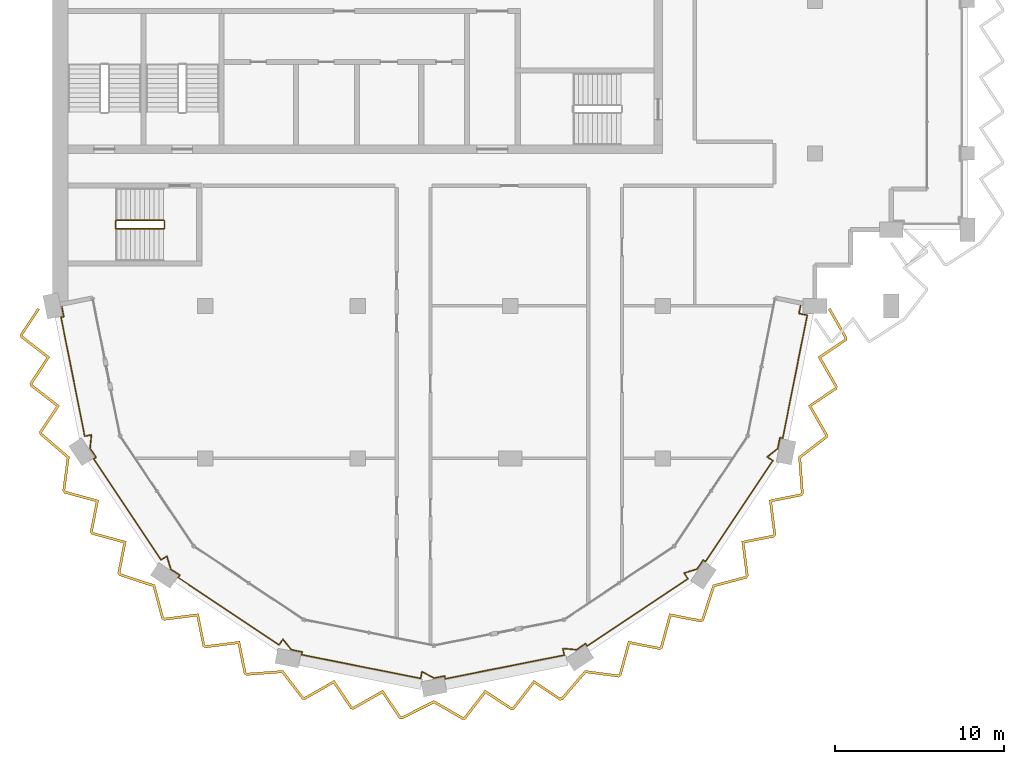
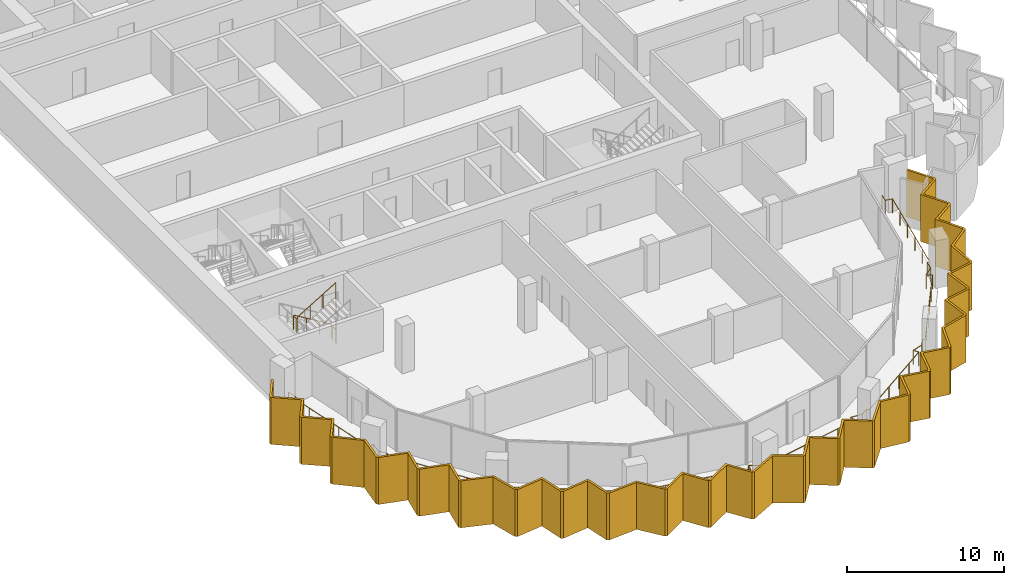
# One storey, part 11 of 13: 2 railings, 1 shading device.
"""IFC4 building model written with IfcOpenShell, lengths in metres."""

from ifc_helpers import new_model, si_unit, direction, frame, origin, origin_2d, place, context, subcontext, project, spatial, polyline, circle, outline, extrude, material, layer, layer_set, type_object, element, save


model = new_model("IFC4")

# Units and contexts
model_context = context("Model", 3, precision=1e-05, world=origin(), true_north=direction((0.0, 1.0)))
body_context = subcontext(model_context, "Body", "Model", "MODEL_VIEW")
ifc_project = project(units=[si_unit("LENGTHUNIT", "METRE"), si_unit("AREAUNIT", "SQUARE_METRE"), si_unit("VOLUMEUNIT", "CUBIC_METRE"), si_unit("PLANEANGLEUNIT", "RADIAN"), si_unit("MASSUNIT", "GRAM", prefix="KILO")], contexts=[model_context])

# Site, building, storey
site_placement = place(None, origin())
site = spatial("IfcSite", under=ifc_project, at=site_placement, CompositionType="ELEMENT")
building_placement = place(site_placement, origin())
building = spatial("IfcBuilding", under=site, at=building_placement, Name="Hunhe Ridgeline Campus", CompositionType="ELEMENT")
storey_placement = place(building_placement, frame((0.0, 0.0, 280.800048828125)))
storey = spatial("IfcBuildingStorey", under=building, at=storey_placement, Name="L72", CompositionType="ELEMENT", Elevation=280.800048828125)

# Railing
ifc_material_1 = material(Name="Steel Q355", Category="steel")
railing_type_1 = type_object("IfcRailingType", Name="Loggia guard 1100 Steel Q355", PredefinedType="GUARDRAIL", material=ifc_material_1)
railing_1_placement = place(storey_placement, frame((0.510009765625, 54.1015625, 0.0)))
element("IfcRailing", 1, at=railing_1_placement, inside=storey, type_object=railing_type_1, Name="Loggia guard 1", PredefinedType="GUARDRAIL", context=body_context, shape_type="SweptSolid", body=[
    extrude(circle(Radius=0.02392578125, at=origin_2d()), frame((0.0, 0.0, 1.076171875), z_axis=(0.194989189992, -0.980805391393, 0.0), x_axis=(0.980805391393, 0.194989189992, 0.0)), (0.0, 0.0, 1.0), 0.75),
    extrude(circle(Radius=0.02392578125, at=origin_2d()), frame((0.146240234375, -0.735595703125, 1.076171875), z_axis=(-0.980746010965, -0.195287639079, 0.0), x_axis=(0.195287639079, -0.980746010965, 0.0)), (0.0, 0.0, 1.0), 0.169921875),
    extrude(circle(Radius=0.02392578125, at=origin_2d()), frame((-0.0205078125, -0.768798828125, 1.076171875), z_axis=(0.195099694312, -0.980783416091, 0.0), x_axis=(0.980783416091, 0.195099694312, 0.0)), (0.0, 0.0, 1.0), 7.160400390625),
    extrude(circle(Radius=0.02392578125, at=origin_2d()), frame((1.37646484375, -7.79150390625, 1.076171875), z_axis=(0.980720044729, 0.195417997808, 0.0), x_axis=(-0.195417997808, 0.980720044729, 0.0)), (0.0, 0.0, 1.0), 0.403564453125),
    extrude(circle(Radius=0.02392578125, at=origin_2d()), frame((1.772216796875, -7.712646484375, 1.076171875), z_axis=(-0.09944331471, -0.995043228789, 0.0), x_axis=(0.995043228789, -0.09944331471, 0.0)), (0.0, 0.0, 1.0), 0.80029296875),
    extrude(circle(Radius=0.02392578125, at=origin_2d()), frame((1.692626953125, -8.509033203125, 1.076171875), z_axis=(0.555484244868, -0.831527061318, 0.0), x_axis=(0.831527061318, 0.555484244868, 0.0)), (0.0, 0.0, 1.0), 0.646484375),
    extrude(circle(Radius=0.02392578125, at=origin_2d()), frame((2.0517578125, -9.046630859375, 1.076171875), z_axis=(-0.831386976724, -0.555693885997, 0.0), x_axis=(0.555693885997, -0.831386976724, 0.0)), (0.0, 0.0, 1.0), 0.169921875),
    extrude(circle(Radius=0.02392578125, at=origin_2d()), frame((1.910400390625, -9.14111328125, 1.076171875), z_axis=(0.555581168767, -0.831462305166, 0.0), x_axis=(0.831462305166, 0.555581168767, 0.0)), (0.0, 0.0, 1.0), 7.16015625),
    extrude(circle(Radius=0.02392578125, at=origin_2d()), frame((5.888427734375, -15.094482421875, 1.076171875), z_axis=(0.831491262241, 0.555537830231, 0.0), x_axis=(-0.555537830231, 0.831491262241, 0.0)), (0.0, 0.0, 1.0), 0.4033203125),
    extrude(circle(Radius=0.02392578125, at=origin_2d()), frame((6.223876953125, -14.870361328125, 1.076171875), z_axis=(0.288914906809, -0.957354780958, 0.0), x_axis=(0.957354780958, 0.288914906809, 0.0)), (0.0, 0.0, 1.0), 0.80029296875),
    extrude(circle(Radius=0.02392578125, at=origin_2d()), frame((6.455078125, -15.636474609375, 1.076171875), z_axis=(0.831352632543, -0.555745265714, 0.0), x_axis=(0.555745265714, 0.831352632543, 0.0)), (0.0, 0.0, 1.0), 0.646728515625),
    extrude(circle(Radius=0.02392578125, at=origin_2d()), frame((6.99267578125, -15.995849609375, 1.076171875), z_axis=(-0.555693885997, -0.831386976724, 0.0), x_axis=(0.831386976724, -0.555693885997, 0.0)), (0.0, 0.0, 1.0), 0.169921875),
    extrude(circle(Radius=0.02392578125, at=origin_2d()), frame((6.898193359375, -16.13720703125, 1.076171875), z_axis=(0.831478056194, -0.555557595635, 0.0), x_axis=(0.555557595635, 0.831478056194, 0.0)), (0.0, 0.0, 1.0), 7.159912109375),
    extrude(circle(Radius=0.02392578125, at=origin_2d()), frame((12.8515625, -20.114990234375, 1.076171875), z_axis=(0.555956014138, 0.831211712107, 0.0), x_axis=(-0.831211712107, 0.555956014138, 0.0)), (0.0, 0.0, 1.0), 0.403564453125),
    extrude(circle(Radius=0.02392578125, at=origin_2d()), frame((13.075927734375, -19.779541015625, 1.076171875), z_axis=(0.633104861372, -0.774066040146, 0.0), x_axis=(0.774066040146, 0.633104861372, 0.0)), (0.0, 0.0, 1.0), 0.800048828125),
    extrude(circle(Radius=0.02392578125, at=origin_2d()), frame((13.58251953125, -20.39892578125, 1.076171875), z_axis=(0.980754587978, -0.195244559871, 0.0), x_axis=(0.195244559871, 0.980754587978, 0.0)), (0.0, 0.0, 1.0), 0.646484375),
    extrude(circle(Radius=0.02392578125, at=origin_2d()), frame((14.216552734375, -20.525146484375, 1.076171875), z_axis=(-0.193905883508, -0.981020136562, 0.0), x_axis=(0.981020136562, -0.193905883508, 0.0)), (0.0, 0.0, 1.0), 0.169921875),
    extrude(circle(Radius=0.02392578125, at=origin_2d()), frame((14.18359375, -20.69189453125, 1.076171875), z_axis=(0.980782118184, -0.195106218893, 0.0), x_axis=(0.195106218893, 0.980782118184, 0.0)), (0.0, 0.0, 1.0), 7.16015625),
    extrude(circle(Radius=0.02392578125, at=origin_2d()), frame((21.2060546875, -22.0888671875, 1.076171875), z_axis=(0.194720424654, 0.980858785057, 0.0), x_axis=(-0.980858785057, 0.194720424654, 0.0)), (0.0, 0.0, 1.0), 0.40380859375),
    extrude(circle(Radius=0.02392578125, at=origin_2d()), frame((21.28466796875, -21.69287109375, 1.076171875), z_axis=(0.881185062436, -0.472771494211, 0.0), x_axis=(0.472771494211, 0.881185062436, 0.0)), (0.0, 0.0, 1.0), 0.800537109375),
    extrude(circle(Radius=0.02392578125, at=origin_2d()), frame((21.989990234375, -22.0712890625, 1.076171875), z_axis=(0.980826840908, 0.194881266811, 0.0), x_axis=(-0.194881266811, 0.980826840908, 0.0)), (0.0, 0.0, 1.0), 0.646484375),
    extrude(circle(Radius=0.02392578125, at=origin_2d()), frame((22.6240234375, -21.9453125, 1.076171875), z_axis=(0.195287639079, -0.980746010965, 0.0), x_axis=(0.980746010965, 0.195287639079, 0.0)), (0.0, 0.0, 1.0), 0.169921875),
    extrude(circle(Radius=0.02392578125, at=origin_2d()), frame((22.6572265625, -22.112060546875, 1.076171875), z_axis=(0.980783416091, 0.195099694312, 0.0), x_axis=(-0.195099694312, 0.980783416091, 0.0)), (0.0, 0.0, 1.0), 7.160400390625),
    extrude(circle(Radius=0.02392578125, at=origin_2d()), frame((29.679931640625, -20.715087890625, 1.076171875), z_axis=(-0.195417997808, 0.980720044729, 0.0), x_axis=(-0.980720044729, -0.195417997808, 0.0)), (0.0, 0.0, 1.0), 0.403564453125),
    extrude(circle(Radius=0.02392578125, at=origin_2d()), frame((29.60107421875, -20.3193359375, 1.076171875), z_axis=(0.995043228789, -0.09944331471, 0.0), x_axis=(0.09944331471, 0.995043228789, 0.0)), (0.0, 0.0, 1.0), 0.80029296875),
    extrude(circle(Radius=0.02392578125, at=origin_2d()), frame((30.3974609375, -20.39892578125, 1.076171875), z_axis=(0.831527061318, 0.555484244868, 0.0), x_axis=(-0.555484244868, 0.831527061318, 0.0)), (0.0, 0.0, 1.0), 0.646484375),
    extrude(circle(Radius=0.02392578125, at=origin_2d()), frame((30.93505859375, -20.039794921875, 1.076171875), z_axis=(0.555693885997, -0.831386976724, 0.0), x_axis=(0.831386976724, 0.555693885997, 0.0)), (0.0, 0.0, 1.0), 0.169921875),
    extrude(circle(Radius=0.02392578125, at=origin_2d()), frame((31.029541015625, -20.18115234375, 1.076171875), z_axis=(0.831462305166, 0.555581168767, 0.0), x_axis=(-0.555581168767, 0.831462305166, 0.0)), (0.0, 0.0, 1.0), 7.16015625),
    extrude(circle(Radius=0.02392578125, at=origin_2d()), frame((36.98291015625, -16.203125, 1.076171875), z_axis=(-0.555537830231, 0.831491262241, 0.0), x_axis=(-0.831491262241, -0.555537830231, 0.0)), (0.0, 0.0, 1.0), 0.4033203125),
    extrude(circle(Radius=0.02392578125, at=origin_2d()), frame((36.7587890625, -15.86767578125, 1.076171875), z_axis=(0.957354780958, 0.288914906809, 0.0), x_axis=(-0.288914906809, 0.957354780958, 0.0)), (0.0, 0.0, 1.0), 0.80029296875),
    extrude(circle(Radius=0.02392578125, at=origin_2d()), frame((37.52490234375, -15.636474609375, 1.076171875), z_axis=(0.555745265714, 0.831352632543, 0.0), x_axis=(-0.831352632543, 0.555745265714, 0.0)), (0.0, 0.0, 1.0), 0.646728515625),
    extrude(circle(Radius=0.02392578125, at=origin_2d()), frame((37.88427734375, -15.098876953125, 1.076171875), z_axis=(0.831386976724, -0.555693885997, 0.0), x_axis=(0.555693885997, 0.831386976724, 0.0)), (0.0, 0.0, 1.0), 0.169921875),
    extrude(circle(Radius=0.02392578125, at=origin_2d()), frame((38.025634765625, -15.193359375, 1.076171875), z_axis=(0.555557595635, 0.831478056194, 0.0), x_axis=(-0.831478056194, 0.555557595635, 0.0)), (0.0, 0.0, 1.0), 7.159912109375),
    extrude(circle(Radius=0.02392578125, at=origin_2d()), frame((42.00341796875, -9.239990234375, 1.076171875), z_axis=(-0.831211712107, 0.555956014138, 0.0), x_axis=(-0.555956014138, -0.831211712107, 0.0)), (0.0, 0.0, 1.0), 0.403564453125),
    extrude(circle(Radius=0.02392578125, at=origin_2d()), frame((41.66796875, -9.015625, 1.076171875), z_axis=(0.774066040146, 0.633104861372, 0.0), x_axis=(-0.633104861372, 0.774066040146, 0.0)), (0.0, 0.0, 1.0), 0.800048828125),
    extrude(circle(Radius=0.02392578125, at=origin_2d()), frame((42.287353515625, -8.509033203125, 1.076171875), z_axis=(0.195244559871, 0.980754587978, 0.0), x_axis=(-0.980754587978, 0.195244559871, 0.0)), (0.0, 0.0, 1.0), 0.646484375),
    extrude(circle(Radius=0.02392578125, at=origin_2d()), frame((42.41357421875, -7.875, 1.076171875), z_axis=(0.981020136562, -0.193905883508, 0.0), x_axis=(0.193905883508, 0.981020136562, 0.0)), (0.0, 0.0, 1.0), 0.169921875),
    extrude(circle(Radius=0.02392578125, at=origin_2d()), frame((42.580322265625, -7.907958984375, 1.076171875), z_axis=(0.195088338544, 0.980785674938, 0.0), x_axis=(-0.980785674938, 0.195088338544, 0.0)), (0.0, 0.0, 1.0), 7.40087890625),
    extrude(circle(Radius=0.02392578125, at=origin_2d()), frame((44.024169921875, -0.649169921875, 1.076171875), z_axis=(-0.980789056368, 0.195071337999, 0.0), x_axis=(-0.195071337999, -0.980789056368, 0.0)), (0.0, 0.0, 1.0), 0.494384765625),
    extrude(circle(Radius=0.02392578125, at=origin_2d()), frame((43.539306640625, -0.552734375, 1.076171875), z_axis=(0.195144205131, 0.980774560847, 0.0), x_axis=(-0.980774560847, 0.195144205131, 0.0)), (0.0, 0.0, 1.0), 0.6279296875),
    extrude(circle(Radius=0.02099609375, at=origin_2d()), origin(), (0.0, 0.0, 1.0), 1.052001953125),
    extrude(circle(Radius=0.02099609375, at=origin_2d()), frame((0.146240234375, -0.735595703125, 0.0)), (0.0, 0.0, 1.0), 1.052001953125),
    extrude(circle(Radius=0.02099609375, at=origin_2d()), frame((-0.0205078125, -0.768798828125, 0.0)), (0.0, 0.0, 1.0), 1.052001953125),
    extrude(circle(Radius=0.02099609375, at=origin_2d()), frame((0.2587890625, -2.17333984375, 0.0)), (0.0, 0.0, 1.0), 1.052001953125),
    extrude(circle(Radius=0.02099609375, at=origin_2d()), frame((0.538330078125, -3.577880859375, 0.0)), (0.0, 0.0, 1.0), 1.052001953125),
    extrude(circle(Radius=0.02099609375, at=origin_2d()), frame((0.817626953125, -4.982421875, 0.0)), (0.0, 0.0, 1.0), 1.052001953125),
    extrude(circle(Radius=0.02099609375, at=origin_2d()), frame((1.09716796875, -6.386962890625, 0.0)), (0.0, 0.0, 1.0), 1.052001953125),
    extrude(circle(Radius=0.02099609375, at=origin_2d()), frame((1.37646484375, -7.79150390625, 0.0)), (0.0, 0.0, 1.0), 1.052001953125),
    extrude(circle(Radius=0.02099609375, at=origin_2d()), frame((1.772216796875, -7.712646484375, 0.0)), (0.0, 0.0, 1.0), 1.052001953125),
    extrude(circle(Radius=0.02099609375, at=origin_2d()), frame((1.692626953125, -8.509033203125, 0.0)), (0.0, 0.0, 1.0), 1.052001953125),
    extrude(circle(Radius=0.02099609375, at=origin_2d()), frame((2.0517578125, -9.046630859375, 0.0)), (0.0, 0.0, 1.0), 1.052001953125),
    extrude(circle(Radius=0.02099609375, at=origin_2d()), frame((1.910400390625, -9.14111328125, 0.0)), (0.0, 0.0, 1.0), 1.052001953125),
    extrude(circle(Radius=0.02099609375, at=origin_2d()), frame((2.7060546875, -10.331787109375, 0.0)), (0.0, 0.0, 1.0), 1.052001953125),
    extrude(circle(Radius=0.02099609375, at=origin_2d()), frame((3.501708984375, -11.5224609375, 0.0)), (0.0, 0.0, 1.0), 1.052001953125),
    extrude(circle(Radius=0.02099609375, at=origin_2d()), frame((4.297119140625, -12.713134765625, 0.0)), (0.0, 0.0, 1.0), 1.052001953125),
    extrude(circle(Radius=0.02099609375, at=origin_2d()), frame((5.0927734375, -13.90380859375, 0.0)), (0.0, 0.0, 1.0), 1.052001953125),
    extrude(circle(Radius=0.02099609375, at=origin_2d()), frame((5.888427734375, -15.094482421875, 0.0)), (0.0, 0.0, 1.0), 1.052001953125),
    extrude(circle(Radius=0.02099609375, at=origin_2d()), frame((6.223876953125, -14.870361328125, 0.0)), (0.0, 0.0, 1.0), 1.052001953125),
    extrude(circle(Radius=0.02099609375, at=origin_2d()), frame((6.455078125, -15.636474609375, 0.0)), (0.0, 0.0, 1.0), 1.052001953125),
    extrude(circle(Radius=0.02099609375, at=origin_2d()), frame((6.99267578125, -15.995849609375, 0.0)), (0.0, 0.0, 1.0), 1.052001953125),
    extrude(circle(Radius=0.02099609375, at=origin_2d()), frame((6.898193359375, -16.13720703125, 0.0)), (0.0, 0.0, 1.0), 1.052001953125),
    extrude(circle(Radius=0.02099609375, at=origin_2d()), frame((8.0888671875, -16.932861328125, 0.0)), (0.0, 0.0, 1.0), 1.052001953125),
    extrude(circle(Radius=0.02099609375, at=origin_2d()), frame((9.279541015625, -17.728271484375, 0.0)), (0.0, 0.0, 1.0), 1.052001953125),
    extrude(circle(Radius=0.02099609375, at=origin_2d()), frame((10.47021484375, -18.52392578125, 0.0)), (0.0, 0.0, 1.0), 1.052001953125),
    extrude(circle(Radius=0.02099609375, at=origin_2d()), frame((11.660888671875, -19.3193359375, 0.0)), (0.0, 0.0, 1.0), 1.052001953125),
    extrude(circle(Radius=0.02099609375, at=origin_2d()), frame((12.8515625, -20.114990234375, 0.0)), (0.0, 0.0, 1.0), 1.052001953125),
    extrude(circle(Radius=0.02099609375, at=origin_2d()), frame((13.075927734375, -19.779541015625, 0.0)), (0.0, 0.0, 1.0), 1.052001953125),
    extrude(circle(Radius=0.02099609375, at=origin_2d()), frame((13.58251953125, -20.39892578125, 0.0)), (0.0, 0.0, 1.0), 1.052001953125),
    extrude(circle(Radius=0.02099609375, at=origin_2d()), frame((14.216552734375, -20.525146484375, 0.0)), (0.0, 0.0, 1.0), 1.052001953125),
    extrude(circle(Radius=0.02099609375, at=origin_2d()), frame((14.18359375, -20.69189453125, 0.0)), (0.0, 0.0, 1.0), 1.052001953125),
    extrude(circle(Radius=0.02099609375, at=origin_2d()), frame((15.588134765625, -20.97119140625, 0.0)), (0.0, 0.0, 1.0), 1.052001953125),
    extrude(circle(Radius=0.02099609375, at=origin_2d()), frame((16.99267578125, -21.250732421875, 0.0)), (0.0, 0.0, 1.0), 1.052001953125),
    extrude(circle(Radius=0.02099609375, at=origin_2d()), frame((18.39697265625, -21.530029296875, 0.0)), (0.0, 0.0, 1.0), 1.052001953125),
    extrude(circle(Radius=0.02099609375, at=origin_2d()), frame((19.801513671875, -21.8095703125, 0.0)), (0.0, 0.0, 1.0), 1.052001953125),
    extrude(circle(Radius=0.02099609375, at=origin_2d()), frame((21.2060546875, -22.0888671875, 0.0)), (0.0, 0.0, 1.0), 1.052001953125),
    extrude(circle(Radius=0.02099609375, at=origin_2d()), frame((21.28466796875, -21.69287109375, 0.0)), (0.0, 0.0, 1.0), 1.052001953125),
    extrude(circle(Radius=0.02099609375, at=origin_2d()), frame((21.989990234375, -22.0712890625, 0.0)), (0.0, 0.0, 1.0), 1.052001953125),
    extrude(circle(Radius=0.02099609375, at=origin_2d()), frame((22.6240234375, -21.9453125, 0.0)), (0.0, 0.0, 1.0), 1.052001953125),
    extrude(circle(Radius=0.02099609375, at=origin_2d()), frame((22.6572265625, -22.112060546875, 0.0)), (0.0, 0.0, 1.0), 1.052001953125),
    extrude(circle(Radius=0.02099609375, at=origin_2d()), frame((24.061767578125, -21.832763671875, 0.0)), (0.0, 0.0, 1.0), 1.052001953125),
    extrude(circle(Radius=0.02099609375, at=origin_2d()), frame((25.46630859375, -21.55322265625, 0.0)), (0.0, 0.0, 1.0), 1.052001953125),
    extrude(circle(Radius=0.02099609375, at=origin_2d()), frame((26.870849609375, -21.27392578125, 0.0)), (0.0, 0.0, 1.0), 1.052001953125),
    extrude(circle(Radius=0.02099609375, at=origin_2d()), frame((28.275390625, -20.994384765625, 0.0)), (0.0, 0.0, 1.0), 1.052001953125),
    extrude(circle(Radius=0.02099609375, at=origin_2d()), frame((29.679931640625, -20.715087890625, 0.0)), (0.0, 0.0, 1.0), 1.052001953125),
    extrude(circle(Radius=0.02099609375, at=origin_2d()), frame((29.60107421875, -20.3193359375, 0.0)), (0.0, 0.0, 1.0), 1.052001953125),
    extrude(circle(Radius=0.02099609375, at=origin_2d()), frame((30.3974609375, -20.39892578125, 0.0)), (0.0, 0.0, 1.0), 1.052001953125),
    extrude(circle(Radius=0.02099609375, at=origin_2d()), frame((30.93505859375, -20.039794921875, 0.0)), (0.0, 0.0, 1.0), 1.052001953125),
    extrude(circle(Radius=0.02099609375, at=origin_2d()), frame((31.029541015625, -20.18115234375, 0.0)), (0.0, 0.0, 1.0), 1.052001953125),
    extrude(circle(Radius=0.02099609375, at=origin_2d()), frame((32.22021484375, -19.385498046875, 0.0)), (0.0, 0.0, 1.0), 1.052001953125),
    extrude(circle(Radius=0.02099609375, at=origin_2d()), frame((33.410888671875, -18.58984375, 0.0)), (0.0, 0.0, 1.0), 1.052001953125),
    extrude(circle(Radius=0.02099609375, at=origin_2d()), frame((34.6015625, -17.79443359375, 0.0)), (0.0, 0.0, 1.0), 1.052001953125),
    extrude(circle(Radius=0.02099609375, at=origin_2d()), frame((35.792236328125, -16.998779296875, 0.0)), (0.0, 0.0, 1.0), 1.052001953125),
    extrude(circle(Radius=0.02099609375, at=origin_2d()), frame((36.98291015625, -16.203125, 0.0)), (0.0, 0.0, 1.0), 1.052001953125),
    extrude(circle(Radius=0.02099609375, at=origin_2d()), frame((36.7587890625, -15.86767578125, 0.0)), (0.0, 0.0, 1.0), 1.052001953125),
    extrude(circle(Radius=0.02099609375, at=origin_2d()), frame((37.52490234375, -15.636474609375, 0.0)), (0.0, 0.0, 1.0), 1.052001953125),
    extrude(circle(Radius=0.02099609375, at=origin_2d()), frame((37.88427734375, -15.098876953125, 0.0)), (0.0, 0.0, 1.0), 1.052001953125),
    extrude(circle(Radius=0.02099609375, at=origin_2d()), frame((38.025634765625, -15.193359375, 0.0)), (0.0, 0.0, 1.0), 1.052001953125),
    extrude(circle(Radius=0.02099609375, at=origin_2d()), frame((38.8212890625, -14.002685546875, 0.0)), (0.0, 0.0, 1.0), 1.052001953125),
    extrude(circle(Radius=0.02099609375, at=origin_2d()), frame((39.61669921875, -12.81201171875, 0.0)), (0.0, 0.0, 1.0), 1.052001953125),
    extrude(circle(Radius=0.02099609375, at=origin_2d()), frame((40.412353515625, -11.621337890625, 0.0)), (0.0, 0.0, 1.0), 1.052001953125),
    extrude(circle(Radius=0.02099609375, at=origin_2d()), frame((41.207763671875, -10.4306640625, 0.0)), (0.0, 0.0, 1.0), 1.052001953125),
    extrude(circle(Radius=0.02099609375, at=origin_2d()), frame((42.00341796875, -9.239990234375, 0.0)), (0.0, 0.0, 1.0), 1.052001953125),
    extrude(circle(Radius=0.02099609375, at=origin_2d()), frame((41.66796875, -9.015625, 0.0)), (0.0, 0.0, 1.0), 1.052001953125),
    extrude(circle(Radius=0.02099609375, at=origin_2d()), frame((42.287353515625, -8.509033203125, 0.0)), (0.0, 0.0, 1.0), 1.052001953125),
    extrude(circle(Radius=0.02099609375, at=origin_2d()), frame((42.41357421875, -7.875, 0.0)), (0.0, 0.0, 1.0), 1.052001953125),
    extrude(circle(Radius=0.02099609375, at=origin_2d()), frame((42.580322265625, -7.907958984375, 0.0)), (0.0, 0.0, 1.0), 1.052001953125),
    extrude(circle(Radius=0.02099609375, at=origin_2d()), frame((42.869140625, -6.456298828125, 0.0)), (0.0, 0.0, 1.0), 1.052001953125),
    extrude(circle(Radius=0.02099609375, at=origin_2d()), frame((43.157958984375, -5.00439453125, 0.0)), (0.0, 0.0, 1.0), 1.052001953125),
    extrude(circle(Radius=0.02099609375, at=origin_2d()), frame((43.446533203125, -3.552734375, 0.0)), (0.0, 0.0, 1.0), 1.052001953125),
    extrude(circle(Radius=0.02099609375, at=origin_2d()), frame((43.7353515625, -2.100830078125, 0.0)), (0.0, 0.0, 1.0), 1.052001953125),
    extrude(circle(Radius=0.02099609375, at=origin_2d()), frame((44.024169921875, -0.649169921875, 0.0)), (0.0, 0.0, 1.0), 1.052001953125),
    extrude(circle(Radius=0.02099609375, at=origin_2d()), frame((43.539306640625, -0.552734375, 0.0)), (0.0, 0.0, 1.0), 1.052001953125),
    extrude(circle(Radius=0.02099609375, at=origin_2d()), frame((43.661865234375, 0.063232421875, 0.0)), (0.0, 0.0, 1.0), 1.052001953125),
])

# Shading device
ifc_material_2 = material(Name="Concrete C50", Category="concrete")
ifc_layer = layer(ifc_material_2, 0.14990234375)
ifc_layer_set = layer_set([ifc_layer], Name="Sawtooth concrete fin 150 Concrete C50")
shading_device_type = type_object("IfcShadingDeviceType", Name="Sawtooth concrete fin 150 Concrete C50", PredefinedType="USERDEFINED", material=ifc_layer_set)
shading_device_placement = place(storey_placement, frame((0.0, 0.0, -0.949951171875)))
element("IfcShadingDevice", 2, at=shading_device_placement, inside=storey, type_object=shading_device_type, Name="Concrete fin screen 1", ObjectType="FIN", PredefinedType="USERDEFINED", context=body_context, shape_type="SweptSolid", body=[
    extrude(outline(polyline([(-0.7705078125, 53.79296875), (-0.8955078125, 53.875732421875), (-1.93212890625, 52.311279296875), (-1.897216796875, 52.1357421875), (-0.363037109375, 50.947509765625), (-1.361083984375, 49.441162109375), (-1.326171875, 49.265625), (0.207763671875, 48.077392578125), (-0.790283203125, 46.571044921875), (-0.755615234375, 46.397705078125), (0.8330078125, 45.02783203125), (0.575439453125, 43.087890625), (0.67333984375, 42.94140625), (2.54541015625, 42.4306640625), (2.19970703125, 40.656982421875), (2.29931640625, 40.508056640625), (4.171142578125, 39.997314453125), (3.82568359375, 38.2236328125), (3.923828125, 38.076904296875), (5.915771484375, 37.419189453125), (6.420166015625, 35.5283203125), (6.56689453125, 35.430419921875), (8.49169921875, 35.6748046875), (8.851318359375, 33.904052734375), (9.0, 33.8046875), (10.925048828125, 34.049072265625), (11.284423828125, 32.2783203125), (11.431396484375, 32.18017578125), (13.5234375, 32.3349609375), (14.713134765625, 30.781005859375), (14.885986328125, 30.74658203125), (16.57080078125, 31.709228515625), (17.58056640625, 30.210693359375), (17.756103515625, 30.17578125), (19.44091796875, 31.13818359375), (20.45068359375, 29.6396484375), (20.6240234375, 29.605224609375), (22.49755859375, 30.548828125), (24.19140625, 29.568603515625), (24.3642578125, 29.602783203125), (25.552490234375, 31.136962890625), (27.058837890625, 30.138916015625), (27.234375, 30.173828125), (28.422607421875, 31.707763671875), (29.928955078125, 30.709716796875), (30.102294921875, 30.744384765625), (31.47216796875, 32.3330078125), (33.412109375, 32.075439453125), (33.55859375, 32.17333984375), (34.0693359375, 34.04541015625), (35.843017578125, 33.69970703125), (35.991943359375, 33.79931640625), (36.502685546875, 35.671142578125), (38.2763671875, 35.32568359375), (38.423095703125, 35.423828125), (39.080810546875, 37.415771484375), (40.9716796875, 37.920166015625), (41.069580078125, 38.06689453125), (40.8251953125, 39.99169921875), (42.595947265625, 40.351318359375), (42.6953125, 40.5), (42.450927734375, 42.425048828125), (44.2216796875, 42.784423828125), (44.31982421875, 42.931396484375), (44.1650390625, 45.0234375), (45.718994140625, 46.213134765625), (45.75341796875, 46.385986328125), (44.790771484375, 48.07080078125), (46.289306640625, 49.08056640625), (46.32421875, 49.256103515625), (45.36181640625, 50.94091796875), (46.8603515625, 51.95068359375), (46.895263671875, 52.126220703125), (45.898193359375, 53.87158203125), (45.767822265625, 53.797119140625), (46.737060546875, 52.1005859375), (46.725341796875, 52.04052734375), (45.162353515625, 50.987548828125), (46.166259765625, 49.230224609375), (46.154296875, 49.17041015625), (44.591552734375, 48.117431640625), (45.59521484375, 46.360107421875), (45.5830078125, 46.2978515625), (44.009521484375, 45.093017578125), (44.16650390625, 42.9716796875), (44.13134765625, 42.919189453125), (42.284423828125, 42.544189453125), (42.53955078125, 40.53662109375), (42.505615234375, 40.48583984375), (40.65869140625, 40.111083984375), (40.91357421875, 38.103515625), (40.87841796875, 38.050537109375), (38.963623046875, 37.539794921875), (38.296875, 35.519775390625), (38.244384765625, 35.484619140625), (36.39453125, 35.844970703125), (35.86181640625, 33.892822265625), (35.81103515625, 33.85888671875), (33.96142578125, 34.21923828125), (33.4287109375, 32.26708984375), (33.375732421875, 32.231689453125), (31.411376953125, 32.492431640625), (30.0224609375, 30.88134765625), (29.960205078125, 30.868896484375), (28.389404296875, 31.90966796875), (27.150146484375, 30.31005859375), (27.090087890625, 30.298095703125), (25.519287109375, 31.3388671875), (24.280029296875, 29.739013671875), (24.217529296875, 29.7265625), (22.50244140625, 30.71923828125), (20.6025390625, 29.762451171875), (20.54052734375, 29.774658203125), (19.487548828125, 31.337646484375), (17.730224609375, 30.333740234375), (17.67041015625, 30.345703125), (16.617431640625, 31.908447265625), (14.860107421875, 30.90478515625), (14.7978515625, 30.9169921875), (13.593017578125, 32.490478515625), (11.4716796875, 32.33349609375), (11.419189453125, 32.36865234375), (11.044189453125, 34.215576171875), (9.03662109375, 33.96044921875), (8.98583984375, 33.994384765625), (8.611083984375, 35.84130859375), (6.603515625, 35.58642578125), (6.550537109375, 35.62158203125), (6.039794921875, 37.536376953125), (4.019775390625, 38.203125), (3.984619140625, 38.255615234375), (4.344970703125, 40.10546875), (2.392822265625, 40.63818359375), (2.35888671875, 40.68896484375), (2.71923828125, 42.53857421875), (0.76708984375, 43.0712890625), (0.731689453125, 43.124267578125), (0.992431640625, 45.088623046875), (-0.61865234375, 46.4775390625), (-0.631103515625, 46.539794921875), (0.40966796875, 48.110595703125), (-1.18994140625, 49.349853515625), (-1.201904296875, 49.409912109375), (-0.1611328125, 50.980712890625), (-1.760986328125, 52.219970703125), (-1.77294921875, 52.280029296875), (-0.7705078125, 53.79296875)])), origin(), (0.0, 0.0, 1.0), 3.64990234375),
])

# Railing
ifc_material_3 = material(Name="Stainless steel balustrade", Category="steel")
railing_type_2 = type_object("IfcRailingType", Name="Stair guard 1100 stainless", PredefinedType="GUARDRAIL", material=ifc_material_3)
railing_2_placement = place(storey_placement, frame((6.550048828125, 59.050048828125, 0.168212890625)))
element("IfcRailing", 3, at=railing_2_placement, inside=storey, type_object=railing_type_2, Name="L72 stair W2 guard", PredefinedType="GUARDRAIL", context=body_context, shape_type="SweptSolid", body=[
    extrude(circle(Radius=0.02392578125, at=origin_2d()), frame((0.0, 0.0, 1.076171875), z_axis=(-0.857275202839, 0.0, 0.514858452973), x_axis=(0.0, -1.0, 0.0)), (0.0, 0.0, 1.0), 3.26611328125),
    extrude(circle(Radius=0.02392578125, at=origin_2d()), frame((-2.800048828125, 0.0, 2.7578125), z_axis=(-0.707106781187, -0.707106781187, 0.0), x_axis=(0.707106781187, -0.707106781187, 0.0)), (0.0, 0.0, 1.0), 0.07080078125),
    extrude(circle(Radius=0.02392578125, at=origin_2d()), frame((-2.85009765625, -0.050048828125, 2.7578125), z_axis=(0.0, -1.0, 0.0), x_axis=(1.0, 0.0, 0.0)), (0.0, 0.0, 1.0), 0.39990234375),
    extrude(circle(Radius=0.02392578125, at=origin_2d()), frame((-2.85009765625, -0.449951171875, 2.7578125), z_axis=(0.274243871929, -0.274243871929, 0.92172696468), x_axis=(0.707106781187, 0.707106781187, 0.0)), (0.0, 0.0, 1.0), 0.1826171875),
    extrude(circle(Radius=0.02392578125, at=origin_2d()), frame((-2.800048828125, -0.5, 2.92578125), z_axis=(0.857242210791, 0.0, 0.514913383045), x_axis=(0.0, 1.0, 0.0)), (0.0, 0.0, 1.0), 3.266357421875),
    extrude(circle(Radius=0.02392578125, at=origin_2d()), frame((0.0, -0.5, 4.60791015625), z_axis=(0.013524414389, 0.013524414389, -0.999817073484), x_axis=(-0.707106781187, 0.707106781187, 0.0)), (0.0, 0.0, 1.0), 3.70068359375),
    extrude(circle(Radius=0.02392578125, at=origin_2d()), frame((0.050048828125, -0.449951171875, 0.90771484375), z_axis=(0.0, 1.0, 0.0), x_axis=(-1.0, 0.0, 0.0)), (0.0, 0.0, 1.0), 0.39990234375),
    extrude(circle(Radius=0.02099609375, at=origin_2d()), origin(), (0.0, 0.0, 1.0), 1.052001953125),
    extrude(circle(Radius=0.02099609375, at=origin_2d()), frame((-0.933349609375, 0.0, 0.560546875)), (0.0, 0.0, 1.0), 1.052001953125),
    extrude(circle(Radius=0.02099609375, at=origin_2d()), frame((-1.86669921875, 0.0, 1.12109375)), (0.0, 0.0, 1.0), 1.052001953125),
    extrude(circle(Radius=0.02099609375, at=origin_2d()), frame((-2.800048828125, 0.0, 1.681640625)), (0.0, 0.0, 1.0), 1.052001953125),
    extrude(circle(Radius=0.02099609375, at=origin_2d()), frame((-2.85009765625, -0.050048828125, 1.681640625)), (0.0, 0.0, 1.0), 1.052001953125),
    extrude(circle(Radius=0.02099609375, at=origin_2d()), frame((-2.85009765625, -0.449951171875, 1.681640625)), (0.0, 0.0, 1.0), 1.052001953125),
    extrude(circle(Radius=0.02099609375, at=origin_2d()), frame((-2.800048828125, -0.5, 1.849853515625)), (0.0, 0.0, 1.0), 1.052001953125),
    extrude(circle(Radius=0.02099609375, at=origin_2d()), frame((-1.86669921875, -0.5, 2.410400390625)), (0.0, 0.0, 1.0), 1.052001953125),
    extrude(circle(Radius=0.02099609375, at=origin_2d()), frame((-0.933349609375, -0.5, 2.97119140625)), (0.0, 0.0, 1.0), 1.052001953125),
    extrude(circle(Radius=0.02099609375, at=origin_2d()), frame((0.0, -0.5, 3.53173828125)), (0.0, 0.0, 1.0), 1.052001953125),
    extrude(circle(Radius=0.02099609375, at=origin_2d()), frame((0.012451171875, -0.487548828125, 2.606689453125)), (0.0, 0.0, 1.0), 1.052001953125),
    extrude(circle(Radius=0.02099609375, at=origin_2d()), frame((0.02490234375, -0.47509765625, 1.681640625)), (0.0, 0.0, 1.0), 1.052001953125),
    extrude(circle(Radius=0.02099609375, at=origin_2d()), frame((0.03759765625, -0.46240234375, 0.7568359375)), (0.0, 0.0, 1.0), 1.052001953125),
    extrude(circle(Radius=0.02099609375, at=origin_2d()), frame((0.050048828125, -0.449951171875, -0.168212890625)), (0.0, 0.0, 1.0), 1.052001953125),
    extrude(circle(Radius=0.02099609375, at=origin_2d()), frame((0.050048828125, -0.050048828125, -0.168212890625)), (0.0, 0.0, 1.0), 1.052001953125),
])

save(model, "model.ifc")
